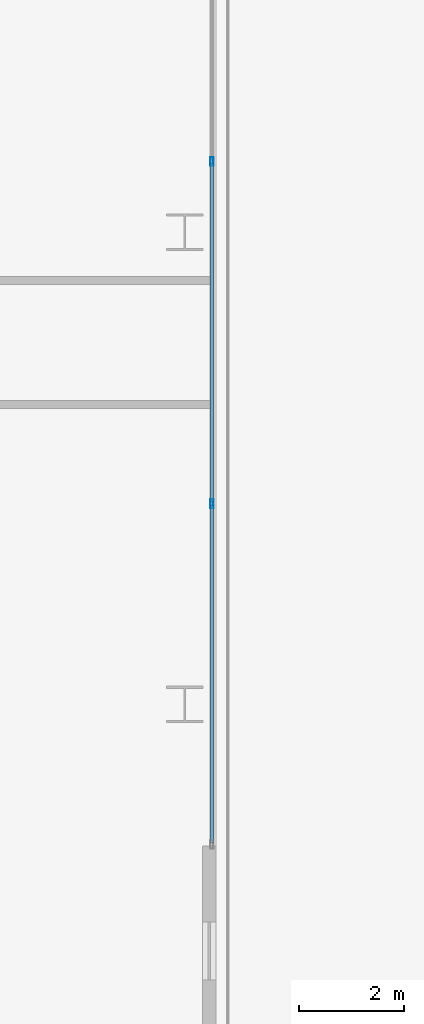
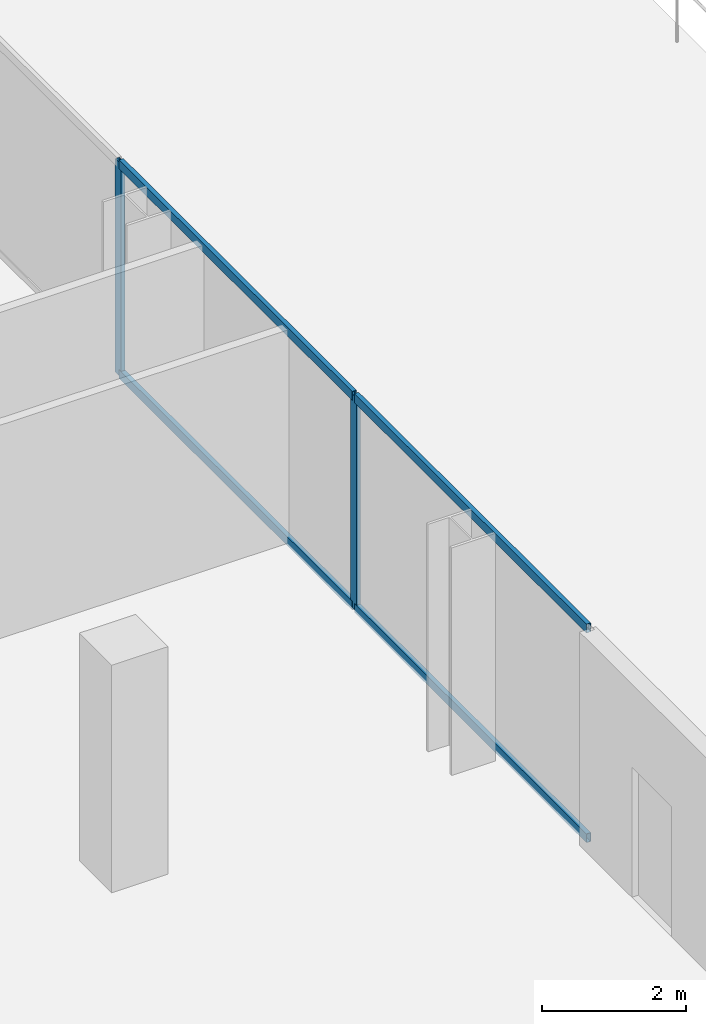
# One storey, part 20 of 31: 6 members, 1 element without a shape of its own.
"""IFC4 building model written with IfcOpenShell, lengths in metres."""

from ifc_helpers import new_model, si_unit, direction, frame, origin, origin_2d, place, context, subcontext, project, spatial, hollow_rectangle, extrude, material, layer, layer_set, material_profile, profile_set, type_object, element, aggregate, save


model = new_model("IFC4")

# Units and contexts
model_context = context("Model", 3, precision=1e-05, world=origin(), true_north=direction((0.0, 1.0)))
body_context = subcontext(model_context, "Body", "Model", "MODEL_VIEW")
ifc_project = project(units=[si_unit("LENGTHUNIT", "METRE"), si_unit("AREAUNIT", "SQUARE_METRE"), si_unit("VOLUMEUNIT", "CUBIC_METRE"), si_unit("PLANEANGLEUNIT", "RADIAN"), si_unit("MASSUNIT", "GRAM", prefix="KILO")], contexts=[model_context])

# Site, building, storey
site_placement = place(None, origin())
site = spatial("IfcSite", under=ifc_project, at=site_placement, CompositionType="ELEMENT")
building_placement = place(site_placement, origin())
building = spatial("IfcBuilding", under=site, at=building_placement, Name="Maruvema Waterfront Hotel and Observation Tower", CompositionType="ELEMENT")
storey_placement = place(building_placement, frame((0.0, 0.0, 26.949951171875)))
storey = spatial("IfcBuildingStorey", under=building, at=storey_placement, Name="L05", CompositionType="ELEMENT", Elevation=26.949951171875)

# Curtain wall, members
ifc_material_1 = material(Name="Anodised bronze aluminium and solar-control low-E IGU", Category="aluminium")
ifc_layer = layer(ifc_material_1, 0.159912109375, Name="Zone 1 Bronze Inner Thermal Curtain Wall System CW-02")
ifc_layer_set = layer_set([ifc_layer], Name="Anodised bronze aluminium and solar-control low-E IGU")
curtain_wall_type = type_object("IfcCurtainWallType", Name="Zone 1 Bronze Inner Thermal Curtain Wall System CW-02", PredefinedType="USERDEFINED", material=ifc_layer_set)
curtain_wall_placement = place(storey_placement, origin())
curtain_wall = element("IfcCurtainWall", 1, at=curtain_wall_placement, inside=storey, type_object=curtain_wall_type, Name="L05 Curtain Wall CW-L05-EN", ObjectType="UNITISED CURTAIN WALL", PredefinedType="USERDEFINED")
ifc_material_2 = material(Name="Anodised architectural bronze aluminium", Category="aluminium")
ifc_material_profile_1 = material_profile(ifc_material_2, hollow_rectangle(XDim=0.070068359375, YDim=0.14990234375, WallThickness=0.00390625, at=origin_2d()), Name="ALU-T70x150")
ifc_profile_set_1 = profile_set([ifc_material_profile_1], Name="Anodised architectural bronze aluminium")
member_type_1 = type_object("IfcMemberType", Name="Curtain Wall Horizontal Transom ALU-T70x150", PredefinedType="USERDEFINED", material=ifc_profile_set_1)
member_1_placement = place(storey_placement, frame((64.719970703125, 24.360107421875, 0.030029296875), z_axis=(0.0, 1.0, 0.0), x_axis=(-1.0, 0.0, 0.0)))
member_1 = element("IfcMember", 2, at=member_1_placement, type_object=member_type_1, Name="CW-02 transom 1.1", ObjectType="TRANSOM", PredefinedType="USERDEFINED", context=body_context, shape_type="SweptSolid", body=[
    extrude(hollow_rectangle(XDim=0.070068359375, YDim=0.14990234375, WallThickness=0.00390625, at=origin_2d()), origin(), (0.0, 0.0, 1.0), 6.434814453125),
])
member_2_placement = place(storey_placement, frame((64.719970703125, 24.360107421875, 3.580078125), z_axis=(0.0, 1.0, 0.0), x_axis=(-1.0, 0.0, 0.0)))
member_2 = element("IfcMember", 3, at=member_2_placement, type_object=member_type_1, Name="CW-02 transom 1.2", ObjectType="TRANSOM", PredefinedType="USERDEFINED", context=body_context, shape_type="SweptSolid", body=[
    extrude(hollow_rectangle(XDim=0.070068359375, YDim=0.14990234375, WallThickness=0.00390625, at=origin_2d()), origin(), (0.0, 0.0, 1.0), 6.434814453125),
])
member_3_placement = place(storey_placement, frame((64.719970703125, 30.85498046875, 0.030029296875), z_axis=(0.0, 1.0, 0.0), x_axis=(-1.0, 0.0, 0.0)))
member_3 = element("IfcMember", 4, at=member_3_placement, type_object=member_type_1, Name="CW-02 transom 2.1", ObjectType="TRANSOM", PredefinedType="USERDEFINED", context=body_context, shape_type="SweptSolid", body=[
    extrude(hollow_rectangle(XDim=0.070068359375, YDim=0.14990234375, WallThickness=0.00390625, at=origin_2d()), origin(), (0.0, 0.0, 1.0), 6.465087890625),
])
member_4_placement = place(storey_placement, frame((64.719970703125, 30.85498046875, 3.580078125), z_axis=(0.0, 1.0, 0.0), x_axis=(-1.0, 0.0, 0.0)))
member_4 = element("IfcMember", 5, at=member_4_placement, type_object=member_type_1, Name="CW-02 transom 2.2", ObjectType="TRANSOM", PredefinedType="USERDEFINED", context=body_context, shape_type="SweptSolid", body=[
    extrude(hollow_rectangle(XDim=0.070068359375, YDim=0.14990234375, WallThickness=0.00390625, at=origin_2d()), origin(), (0.0, 0.0, 1.0), 6.465087890625),
])
ifc_material_3 = material(Name="Anodised architectural bronze aluminium", Category="aluminium")
ifc_material_profile_2 = material_profile(ifc_material_3, hollow_rectangle(XDim=0.06494140625, YDim=0.1650390625, WallThickness=0.00390625, at=origin_2d()), Name="ALU-M65x165")
ifc_profile_set_2 = profile_set([ifc_material_profile_2], Name="Anodised architectural bronze aluminium")
member_type_2 = type_object("IfcMemberType", Name="Curtain Wall Primary Mullion ALU-M65x165", PredefinedType="MULLION", material=ifc_profile_set_2)
member_5_placement = place(storey_placement, frame((64.719970703125, 30.824951171875, 0.0), z_axis=(0.0, 0.0, 1.0), x_axis=(-1.0, 0.0, 0.0)))
member_5 = element("IfcMember", 6, at=member_5_placement, type_object=member_type_2, Name="CW-02 mullion 2", PredefinedType="MULLION", context=body_context, shape_type="SweptSolid", body=[
    extrude(hollow_rectangle(XDim=0.06494140625, YDim=0.1650390625, WallThickness=0.00390625, at=origin_2d()), origin(), (0.0, 0.0, 1.0), 3.610107421875),
])
member_6_placement = place(storey_placement, frame((64.719970703125, 37.35009765625, 0.0), z_axis=(0.0, 0.0, 1.0), x_axis=(-1.0, 0.0, 0.0)))
member_6 = element("IfcMember", 7, at=member_6_placement, type_object=member_type_2, Name="CW-02 mullion 3", PredefinedType="MULLION", context=body_context, shape_type="SweptSolid", body=[
    extrude(hollow_rectangle(XDim=0.06494140625, YDim=0.1650390625, WallThickness=0.00390625, at=origin_2d()), origin(), (0.0, 0.0, 1.0), 3.610107421875),
])
aggregate(curtain_wall, [member_5, member_6, member_1, member_2, member_3, member_4])

save(model, "model.ifc")
